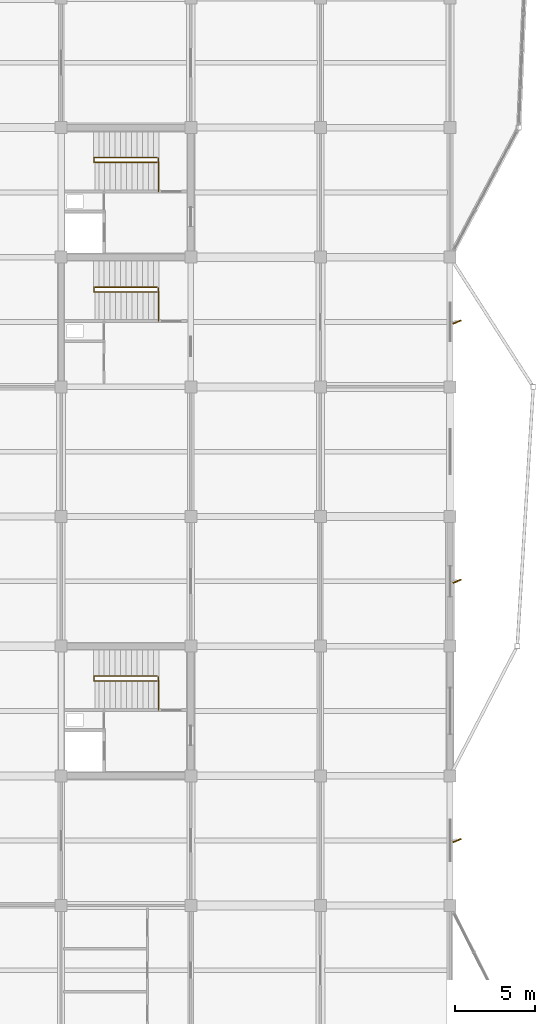
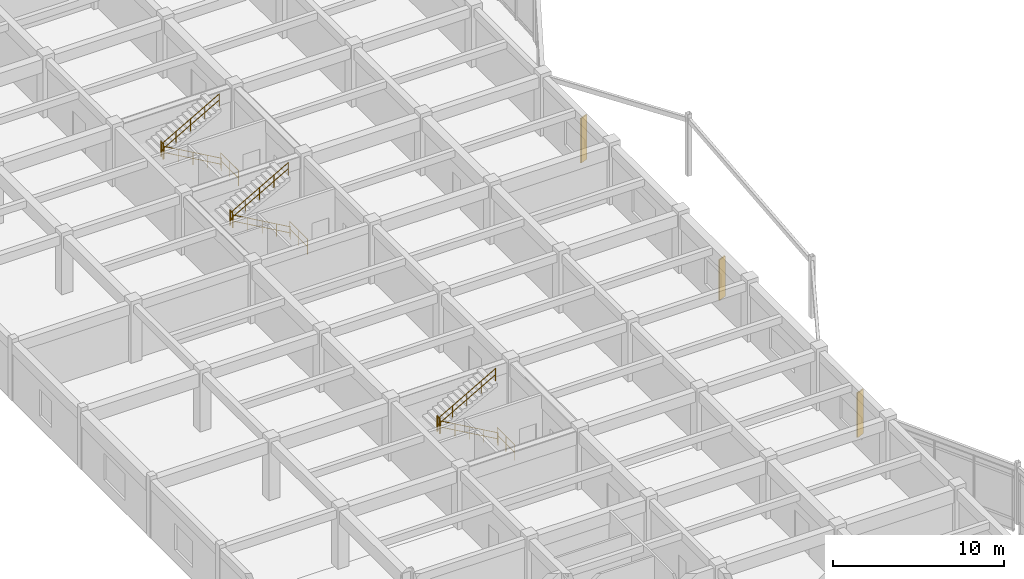
# One storey, part 87 of 89: 12 railings, 3 shading devices.
"""IFC4 building model written with IfcOpenShell, lengths in metres."""

from ifc_helpers import new_model, si_unit, direction, frame, origin, origin_2d, place, context, subcontext, project, spatial, rectangle, circle, extrude, material, type_object, element, save


model = new_model("IFC4")

# Units and contexts
model_context = context("Model", 3, precision=1e-05, world=origin(), true_north=direction((0.0, 1.0)))
body_context = subcontext(model_context, "Body", "Model", "MODEL_VIEW")
ifc_project = project(units=[si_unit("LENGTHUNIT", "METRE"), si_unit("AREAUNIT", "SQUARE_METRE"), si_unit("VOLUMEUNIT", "CUBIC_METRE"), si_unit("PLANEANGLEUNIT", "RADIAN"), si_unit("MASSUNIT", "GRAM", prefix="KILO")], contexts=[model_context])

# Site, building, storey
site_placement = place(None, origin())
site = spatial("IfcSite", under=ifc_project, at=site_placement, CompositionType="ELEMENT")
building_placement = place(site_placement, origin())
building = spatial("IfcBuilding", under=site, at=building_placement, Name="Vaudrelin Polytechnic", CompositionType="ELEMENT")
storey_placement = place(building_placement, frame((0.0, 0.0, 9.68994140625)))
storey = spatial("IfcBuildingStorey", under=building, at=storey_placement, Name="L02", CompositionType="ELEMENT", Elevation=9.68994140625)

# Shading devices
ifc_material_1 = material(Name="Anodised perforated aluminium AA 5005", Category="aluminium")
shading_device_type = type_object("IfcShadingDeviceType", Name="ENV-SF-FIN1", PredefinedType="USERDEFINED", material=ifc_material_1)
shading_device_1_placement = place(storey_placement, frame((170.534912109375, 60.75, 0.2001953125), z_axis=(0.0, 0.0, 1.0), x_axis=(0.927183854567, 0.374606593416, 0.0)))
element("IfcShadingDevice", 1, at=shading_device_1_placement, inside=storey, type_object=shading_device_type, Name="Perforated solar fin SF-027", ObjectType="SOLAR FIN", PredefinedType="USERDEFINED", context=body_context, shape_type="SweptSolid", body=[
    extrude(rectangle(XDim=0.550048828125, YDim=0.080078125, at=origin_2d()), origin(), (0.0, 0.0, 1.0), 3.19189453125),
])
shading_device_2_placement = place(storey_placement, frame((170.534912109375, 76.949951171875, 0.199951171875), z_axis=(0.0, 0.0, 1.0), x_axis=(0.927183854567, 0.374606593416, 0.0)))
element("IfcShadingDevice", 2, at=shading_device_2_placement, inside=storey, type_object=shading_device_type, Name="Perforated solar fin SF-028", ObjectType="SOLAR FIN", PredefinedType="USERDEFINED", context=body_context, shape_type="SweptSolid", body=[
    extrude(rectangle(XDim=0.550048828125, YDim=0.080078125, at=origin_2d()), origin(), (0.0, 0.0, 1.0), 2.89208984375),
])
shading_device_3_placement = place(storey_placement, frame((170.534912109375, 93.14990234375, 0.2001953125), z_axis=(0.0, 0.0, 1.0), x_axis=(0.927183854567, 0.374606593416, 0.0)))
element("IfcShadingDevice", 3, at=shading_device_3_placement, inside=storey, type_object=shading_device_type, Name="Perforated solar fin SF-029", ObjectType="SOLAR FIN", PredefinedType="USERDEFINED", context=body_context, shape_type="SweptSolid", body=[
    extrude(rectangle(XDim=0.550048828125, YDim=0.080078125, at=origin_2d()), origin(), (0.0, 0.0, 1.0), 3.19189453125),
])

# Railings
ifc_material_2 = material(Name="Brushed stainless steel AISI 304", Category="steel")
railing_type_1 = type_object("IfcRailingType", Name="RAL-GR-INT", PredefinedType="GUARDRAIL", material=ifc_material_2)
railing_1_placement = place(storey_placement, frame((151.8798828125, 101.31005859375, 0.0)))
element("IfcRailing", 4, at=railing_1_placement, inside=storey, type_object=railing_type_1, Name="ST-06-L01 upper well guardrail", PredefinedType="GUARDRAIL", context=body_context, shape_type="SweptSolid", body=[
    extrude(circle(Radius=0.02392578125, at=origin_2d()), frame((0.0, 0.023193359375, 1.09619140625), z_axis=(0.0, 1.0, 0.0), x_axis=(-1.0, 0.0, 0.0)), (0.0, 0.0, 1.0), 2.023681640625),
    extrude(circle(Radius=0.02392578125, at=origin_2d()), frame((0.0, 0.023193359375, 0.56005859375), z_axis=(0.0, 1.0, 0.0), x_axis=(-1.0, 0.0, 0.0)), (0.0, 0.0, 1.0), 2.023681640625),
    extrude(circle(Radius=0.02099609375, at=origin_2d()), origin(), (0.0, 0.0, 1.0), 1.1201171875),
    extrude(circle(Radius=0.02099609375, at=origin_2d()), frame((0.0, 1.034912109375, 0.0)), (0.0, 0.0, 1.0), 1.1201171875),
    extrude(circle(Radius=0.02099609375, at=origin_2d()), frame((0.0, 2.06982421875, 0.0)), (0.0, 0.0, 1.0), 1.1201171875),
])
railing_2_placement = place(storey_placement, frame((147.85009765625, 103.139892578125, 2.2099609375)))
element("IfcRailing", 5, at=railing_2_placement, inside=storey, type_object=railing_type_1, Name="ST-06-L02 landing well guardrail", PredefinedType="GUARDRAIL", context=body_context, shape_type="SweptSolid", body=[
    extrude(circle(Radius=0.02392578125, at=origin_2d()), frame((0.0, 0.023193359375, 1.09619140625), z_axis=(0.0, 1.0, 0.0), x_axis=(-1.0, 0.0, 0.0)), (0.0, 0.0, 1.0), 0.23388671875),
    extrude(circle(Radius=0.02392578125, at=origin_2d()), frame((0.0, 0.023193359375, 0.56005859375), z_axis=(0.0, 1.0, 0.0), x_axis=(-1.0, 0.0, 0.0)), (0.0, 0.0, 1.0), 0.23388671875),
    extrude(circle(Radius=0.02099609375, at=origin_2d()), origin(), (0.0, 0.0, 1.0), 1.1201171875),
    extrude(circle(Radius=0.02099609375, at=origin_2d()), frame((0.0, 0.280029296875, 0.0)), (0.0, 0.0, 1.0), 1.1201171875),
])
railing_3_placement = place(storey_placement, frame((151.8798828125, 68.909912109375, 0.0)))
element("IfcRailing", 6, at=railing_3_placement, inside=storey, type_object=railing_type_1, Name="ST-07-L01 upper well guardrail", PredefinedType="GUARDRAIL", context=body_context, shape_type="SweptSolid", body=[
    extrude(circle(Radius=0.02392578125, at=origin_2d()), frame((0.0, 0.023193359375, 1.09619140625), z_axis=(0.0, 1.0, 0.0), x_axis=(-1.0, 0.0, 0.0)), (0.0, 0.0, 1.0), 2.02392578125),
    extrude(circle(Radius=0.02392578125, at=origin_2d()), frame((0.0, 0.023193359375, 0.56005859375), z_axis=(0.0, 1.0, 0.0), x_axis=(-1.0, 0.0, 0.0)), (0.0, 0.0, 1.0), 2.02392578125),
    extrude(circle(Radius=0.02099609375, at=origin_2d()), origin(), (0.0, 0.0, 1.0), 1.1201171875),
    extrude(circle(Radius=0.02099609375, at=origin_2d()), frame((0.0, 1.03515625, 0.0)), (0.0, 0.0, 1.0), 1.1201171875),
    extrude(circle(Radius=0.02099609375, at=origin_2d()), frame((0.0, 2.070068359375, 0.0)), (0.0, 0.0, 1.0), 1.1201171875),
])
railing_4_placement = place(storey_placement, frame((147.85009765625, 70.739990234375, 2.2099609375)))
element("IfcRailing", 7, at=railing_4_placement, inside=storey, type_object=railing_type_1, Name="ST-07-L02 landing well guardrail", PredefinedType="GUARDRAIL", context=body_context, shape_type="SweptSolid", body=[
    extrude(circle(Radius=0.02392578125, at=origin_2d()), frame((0.0, 0.023193359375, 1.09619140625), z_axis=(0.0, 1.0, 0.0), x_axis=(-1.0, 0.0, 0.0)), (0.0, 0.0, 1.0), 0.23388671875),
    extrude(circle(Radius=0.02392578125, at=origin_2d()), frame((0.0, 0.023193359375, 0.56005859375), z_axis=(0.0, 1.0, 0.0), x_axis=(-1.0, 0.0, 0.0)), (0.0, 0.0, 1.0), 0.23388671875),
    extrude(circle(Radius=0.02099609375, at=origin_2d()), origin(), (0.0, 0.0, 1.0), 1.1201171875),
    extrude(circle(Radius=0.02099609375, at=origin_2d()), frame((0.0, 0.280029296875, 0.0)), (0.0, 0.0, 1.0), 1.1201171875),
])
railing_5_placement = place(storey_placement, frame((151.8798828125, 93.2099609375, 0.0)))
element("IfcRailing", 8, at=railing_5_placement, inside=storey, type_object=railing_type_1, Name="ST-13-L01 upper well guardrail", PredefinedType="GUARDRAIL", context=body_context, shape_type="SweptSolid", body=[
    extrude(circle(Radius=0.02392578125, at=origin_2d()), frame((0.0, 0.023193359375, 1.09619140625), z_axis=(0.0, 1.0, 0.0), x_axis=(-1.0, 0.0, 0.0)), (0.0, 0.0, 1.0), 2.02392578125),
    extrude(circle(Radius=0.02392578125, at=origin_2d()), frame((0.0, 0.023193359375, 0.56005859375), z_axis=(0.0, 1.0, 0.0), x_axis=(-1.0, 0.0, 0.0)), (0.0, 0.0, 1.0), 2.02392578125),
    extrude(circle(Radius=0.02099609375, at=origin_2d()), origin(), (0.0, 0.0, 1.0), 1.1201171875),
    extrude(circle(Radius=0.02099609375, at=origin_2d()), frame((0.0, 1.03515625, 0.0)), (0.0, 0.0, 1.0), 1.1201171875),
    extrude(circle(Radius=0.02099609375, at=origin_2d()), frame((0.0, 2.070068359375, 0.0)), (0.0, 0.0, 1.0), 1.1201171875),
])
railing_6_placement = place(storey_placement, frame((147.85009765625, 95.0400390625, 2.2099609375)))
element("IfcRailing", 9, at=railing_6_placement, inside=storey, type_object=railing_type_1, Name="ST-13-L02 landing well guardrail", PredefinedType="GUARDRAIL", context=body_context, shape_type="SweptSolid", body=[
    extrude(circle(Radius=0.02392578125, at=origin_2d()), frame((0.0, 0.023193359375, 1.09619140625), z_axis=(0.0, 1.0, 0.0), x_axis=(-1.0, 0.0, 0.0)), (0.0, 0.0, 1.0), 0.23388671875),
    extrude(circle(Radius=0.02392578125, at=origin_2d()), frame((0.0, 0.023193359375, 0.56005859375), z_axis=(0.0, 1.0, 0.0), x_axis=(-1.0, 0.0, 0.0)), (0.0, 0.0, 1.0), 0.23388671875),
    extrude(circle(Radius=0.02099609375, at=origin_2d()), origin(), (0.0, 0.0, 1.0), 1.1201171875),
    extrude(circle(Radius=0.02099609375, at=origin_2d()), frame((0.0, 0.280029296875, 0.0)), (0.0, 0.0, 1.0), 1.1201171875),
])
railing_type_2 = type_object("IfcRailingType", Name="RAL-HR-STR", PredefinedType="HANDRAIL", material=ifc_material_2)
railing_7_placement = place(storey_placement, frame((151.800048828125, 103.1298828125, 0.0)))
element("IfcRailing", 10, at=railing_7_placement, inside=storey, type_object=railing_type_2, Name="ST-06-L02 flight 1 handrail", PredefinedType="HANDRAIL", context=body_context, shape_type="SweptSolid", body=[
    extrude(circle(Radius=0.02392578125, at=origin_2d()), frame((-0.02001953125, 0.0, 0.9072265625), z_axis=(-0.869489581884, 0.0, 0.493951279981), x_axis=(0.0, -1.0, 0.0)), (0.0, 0.0, 1.0), 4.427734375),
    extrude(circle(Radius=0.02392578125, at=origin_2d()), frame((-0.02001953125, 0.0, 0.471435546875), z_axis=(-0.869489581884, 0.0, 0.493951279981), x_axis=(0.0, -1.0, 0.0)), (0.0, 0.0, 1.0), 4.427734375),
    extrude(circle(Radius=0.02099609375, at=origin_2d()), origin(), (0.0, 0.0, 1.0), 0.919921875),
    extrude(circle(Radius=0.02099609375, at=origin_2d()), frame((-0.97265625, 0.0, 0.552490234375)), (0.0, 0.0, 1.0), 0.919921875),
    extrude(circle(Radius=0.02099609375, at=origin_2d()), frame((-1.945068359375, 0.0, 1.10498046875)), (0.0, 0.0, 1.0), 0.919921875),
    extrude(circle(Radius=0.02099609375, at=origin_2d()), frame((-2.91748046875, 0.0, 1.657470703125)), (0.0, 0.0, 1.0), 0.919921875),
    extrude(circle(Radius=0.02099609375, at=origin_2d()), frame((-3.89013671875, 0.0, 2.2099609375)), (0.0, 0.0, 1.0), 0.919921875),
])
railing_8_placement = place(storey_placement, frame((147.909912109375, 103.429931640625, 2.2099609375)))
element("IfcRailing", 11, at=railing_8_placement, inside=storey, type_object=railing_type_2, Name="ST-06-L02 flight 2 handrail", PredefinedType="HANDRAIL", context=body_context, shape_type="SweptSolid", body=[
    extrude(circle(Radius=0.02392578125, at=origin_2d()), frame((0.02001953125, 0.0, 0.9072265625), z_axis=(0.86946614529, 0.0, 0.493992532529), x_axis=(0.0, 1.0, 0.0)), (0.0, 0.0, 1.0), 4.427978515625),
    extrude(circle(Radius=0.02392578125, at=origin_2d()), frame((0.02001953125, 0.0, 0.471435546875), z_axis=(0.86946614529, 0.0, 0.493992532529), x_axis=(0.0, 1.0, 0.0)), (0.0, 0.0, 1.0), 4.427978515625),
    extrude(circle(Radius=0.02099609375, at=origin_2d()), origin(), (0.0, 0.0, 1.0), 0.919921875),
    extrude(circle(Radius=0.02099609375, at=origin_2d()), frame((0.97265625, 0.0, 0.552490234375)), (0.0, 0.0, 1.0), 0.919921875),
    extrude(circle(Radius=0.02099609375, at=origin_2d()), frame((1.945068359375, 0.0, 1.10498046875)), (0.0, 0.0, 1.0), 0.919921875),
    extrude(circle(Radius=0.02099609375, at=origin_2d()), frame((2.91748046875, 0.0, 1.65771484375)), (0.0, 0.0, 1.0), 0.919921875),
    extrude(circle(Radius=0.02099609375, at=origin_2d()), frame((3.89013671875, 0.0, 2.210205078125)), (0.0, 0.0, 1.0), 0.919921875),
])
railing_9_placement = place(storey_placement, frame((151.800048828125, 70.72998046875, 0.0)))
element("IfcRailing", 12, at=railing_9_placement, inside=storey, type_object=railing_type_2, Name="ST-07-L02 flight 1 handrail", PredefinedType="HANDRAIL", context=body_context, shape_type="SweptSolid", body=[
    extrude(circle(Radius=0.02392578125, at=origin_2d()), frame((-0.02001953125, 0.0, 0.9072265625), z_axis=(-0.869489581884, 0.0, 0.493951279981), x_axis=(0.0, -1.0, 0.0)), (0.0, 0.0, 1.0), 4.427734375),
    extrude(circle(Radius=0.02392578125, at=origin_2d()), frame((-0.02001953125, 0.0, 0.471435546875), z_axis=(-0.869489581884, 0.0, 0.493951279981), x_axis=(0.0, -1.0, 0.0)), (0.0, 0.0, 1.0), 4.427734375),
    extrude(circle(Radius=0.02099609375, at=origin_2d()), origin(), (0.0, 0.0, 1.0), 0.919921875),
    extrude(circle(Radius=0.02099609375, at=origin_2d()), frame((-0.97265625, 0.0, 0.552490234375)), (0.0, 0.0, 1.0), 0.919921875),
    extrude(circle(Radius=0.02099609375, at=origin_2d()), frame((-1.945068359375, 0.0, 1.10498046875)), (0.0, 0.0, 1.0), 0.919921875),
    extrude(circle(Radius=0.02099609375, at=origin_2d()), frame((-2.91748046875, 0.0, 1.657470703125)), (0.0, 0.0, 1.0), 0.919921875),
    extrude(circle(Radius=0.02099609375, at=origin_2d()), frame((-3.89013671875, 0.0, 2.2099609375)), (0.0, 0.0, 1.0), 0.919921875),
])
railing_10_placement = place(storey_placement, frame((147.909912109375, 71.030029296875, 2.2099609375)))
element("IfcRailing", 13, at=railing_10_placement, inside=storey, type_object=railing_type_2, Name="ST-07-L02 flight 2 handrail", PredefinedType="HANDRAIL", context=body_context, shape_type="SweptSolid", body=[
    extrude(circle(Radius=0.02392578125, at=origin_2d()), frame((0.02001953125, 0.0, 0.9072265625), z_axis=(0.86946614529, 0.0, 0.493992532529), x_axis=(0.0, 1.0, 0.0)), (0.0, 0.0, 1.0), 4.427978515625),
    extrude(circle(Radius=0.02392578125, at=origin_2d()), frame((0.02001953125, 0.0, 0.471435546875), z_axis=(0.86946614529, 0.0, 0.493992532529), x_axis=(0.0, 1.0, 0.0)), (0.0, 0.0, 1.0), 4.427978515625),
    extrude(circle(Radius=0.02099609375, at=origin_2d()), origin(), (0.0, 0.0, 1.0), 0.919921875),
    extrude(circle(Radius=0.02099609375, at=origin_2d()), frame((0.97265625, 0.0, 0.552490234375)), (0.0, 0.0, 1.0), 0.919921875),
    extrude(circle(Radius=0.02099609375, at=origin_2d()), frame((1.945068359375, 0.0, 1.10498046875)), (0.0, 0.0, 1.0), 0.919921875),
    extrude(circle(Radius=0.02099609375, at=origin_2d()), frame((2.91748046875, 0.0, 1.65771484375)), (0.0, 0.0, 1.0), 0.919921875),
    extrude(circle(Radius=0.02099609375, at=origin_2d()), frame((3.89013671875, 0.0, 2.210205078125)), (0.0, 0.0, 1.0), 0.919921875),
])
railing_11_placement = place(storey_placement, frame((151.800048828125, 95.030029296875, 0.0)))
element("IfcRailing", 14, at=railing_11_placement, inside=storey, type_object=railing_type_2, Name="ST-13-L02 flight 1 handrail", PredefinedType="HANDRAIL", context=body_context, shape_type="SweptSolid", body=[
    extrude(circle(Radius=0.02392578125, at=origin_2d()), frame((-0.02001953125, 0.0, 0.9072265625), z_axis=(-0.869489581884, 0.0, 0.493951279981), x_axis=(0.0, -1.0, 0.0)), (0.0, 0.0, 1.0), 4.427734375),
    extrude(circle(Radius=0.02392578125, at=origin_2d()), frame((-0.02001953125, 0.0, 0.471435546875), z_axis=(-0.869489581884, 0.0, 0.493951279981), x_axis=(0.0, -1.0, 0.0)), (0.0, 0.0, 1.0), 4.427734375),
    extrude(circle(Radius=0.02099609375, at=origin_2d()), origin(), (0.0, 0.0, 1.0), 0.919921875),
    extrude(circle(Radius=0.02099609375, at=origin_2d()), frame((-0.97265625, 0.0, 0.552490234375)), (0.0, 0.0, 1.0), 0.919921875),
    extrude(circle(Radius=0.02099609375, at=origin_2d()), frame((-1.945068359375, 0.0, 1.10498046875)), (0.0, 0.0, 1.0), 0.919921875),
    extrude(circle(Radius=0.02099609375, at=origin_2d()), frame((-2.91748046875, 0.0, 1.657470703125)), (0.0, 0.0, 1.0), 0.919921875),
    extrude(circle(Radius=0.02099609375, at=origin_2d()), frame((-3.89013671875, 0.0, 2.2099609375)), (0.0, 0.0, 1.0), 0.919921875),
])
railing_12_placement = place(storey_placement, frame((147.909912109375, 95.330078125, 2.2099609375)))
element("IfcRailing", 15, at=railing_12_placement, inside=storey, type_object=railing_type_2, Name="ST-13-L02 flight 2 handrail", PredefinedType="HANDRAIL", context=body_context, shape_type="SweptSolid", body=[
    extrude(circle(Radius=0.02392578125, at=origin_2d()), frame((0.02001953125, 0.0, 0.9072265625), z_axis=(0.86946614529, 0.0, 0.493992532529), x_axis=(0.0, 1.0, 0.0)), (0.0, 0.0, 1.0), 4.427978515625),
    extrude(circle(Radius=0.02392578125, at=origin_2d()), frame((0.02001953125, 0.0, 0.471435546875), z_axis=(0.86946614529, 0.0, 0.493992532529), x_axis=(0.0, 1.0, 0.0)), (0.0, 0.0, 1.0), 4.427978515625),
    extrude(circle(Radius=0.02099609375, at=origin_2d()), origin(), (0.0, 0.0, 1.0), 0.919921875),
    extrude(circle(Radius=0.02099609375, at=origin_2d()), frame((0.97265625, 0.0, 0.552490234375)), (0.0, 0.0, 1.0), 0.919921875),
    extrude(circle(Radius=0.02099609375, at=origin_2d()), frame((1.945068359375, 0.0, 1.10498046875)), (0.0, 0.0, 1.0), 0.919921875),
    extrude(circle(Radius=0.02099609375, at=origin_2d()), frame((2.91748046875, 0.0, 1.65771484375)), (0.0, 0.0, 1.0), 0.919921875),
    extrude(circle(Radius=0.02099609375, at=origin_2d()), frame((3.89013671875, 0.0, 2.210205078125)), (0.0, 0.0, 1.0), 0.919921875),
])

save(model, "model.ifc")
